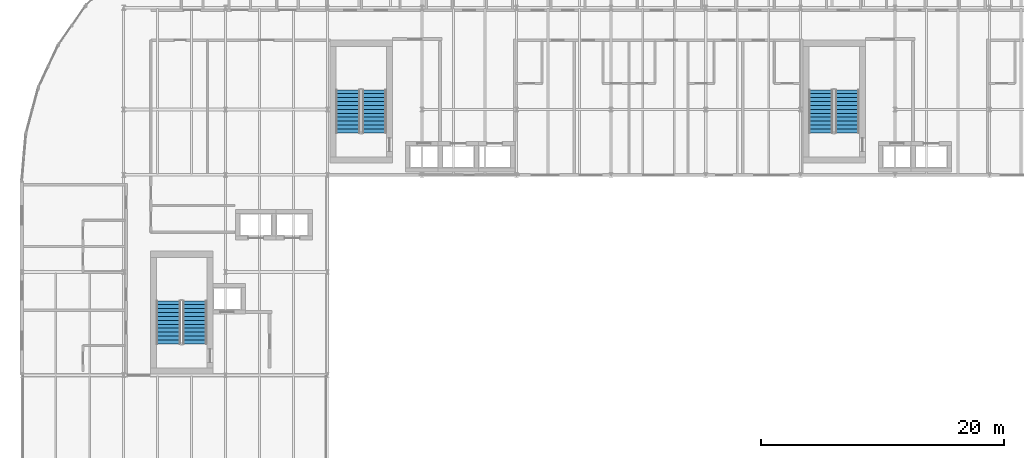
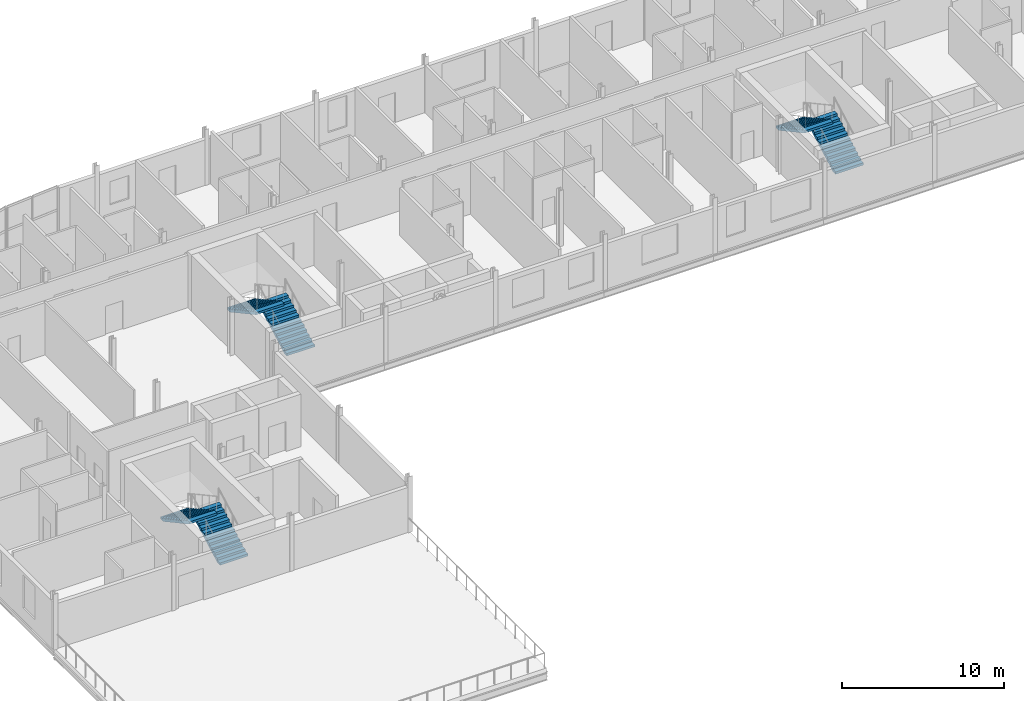
# One storey, part 18 of 22: 6 stair flights, 3 elements without a shape of their own.
"""IFC4 building model written with IfcOpenShell, lengths in metres."""

import ifcopenshell
import ifcopenshell.guid

model = None  # the IFC model being written
_history = None  # IfcOwnerHistory: only IFC2X3 demands one
_inside = {}  # id of a spatial element -> (the spatial element, [elements in it])
_under = {}  # id of a project, library or spatial element -> (it, [spatial elements below it])
_declared = {}  # id of a project -> (the project, [libraries it declares])
_typed = {}  # id of a type object -> (the type object, [elements of that type])
_made_of = {}  # id of a material, layer set ... -> (it, [elements and type objects made of it])


def new_model(schema):
    """Start an empty IFC model of exactly this schema.

    Asked for "IFC4X3", IfcOpenShell would pick the latest addendum, in which some entities
    have other attributes; the version numbers below select the first issue.
    IFC2X3 requires an IfcOwnerHistory on every rooted entity: one is made here for all.
    """
    global model, _history
    if schema == "IFC4X3":
        model = ifcopenshell.file(schema_version=(4, 3, 0, 0))
    else:
        model = ifcopenshell.file(schema=schema)
    _inside.clear()
    _under.clear()
    _declared.clear()
    _typed.clear()
    _made_of.clear()
    _history = None
    if model.schema == "IFC2X3":
        org = make("IfcOrganization", Name="unknown")
        user = make(
            "IfcPersonAndOrganization",
            ThePerson=make("IfcPerson", FamilyName="unknown"),
            TheOrganization=org,
        )
        app = make(
            "IfcApplication",
            ApplicationDeveloper=org,
            Version="unknown",
            ApplicationFullName="unknown",
            ApplicationIdentifier="unknown",
        )
        _history = make(
            "IfcOwnerHistory",
            OwningUser=user,
            OwningApplication=app,
            ChangeAction="ADDED",
            CreationDate=0,
        )
    return model


def make(cls, **values):
    """One entity of the class cls with the attributes given. An attribute that is None is left unset."""
    return model.create_entity(
        cls, **{name: value for name, value in values.items() if value is not None}
    )


def rooted(cls, **values):
    """An entity with a GlobalId (a new one), such as an element, a storey or a relation."""
    return make(cls, GlobalId=ifcopenshell.guid.new(), OwnerHistory=_history, **values)


def si_unit(unit_type, name, prefix=None):
    """IfcSIUnit, for example si_unit("LENGTHUNIT", "METRE", prefix="MILLI")."""
    return make("IfcSIUnit", UnitType=unit_type, Prefix=prefix, Name=name)


def assignment(units):
    """IfcUnitAssignment: the units of a project."""
    return None if units is None else make("IfcUnitAssignment", Units=units)


def point(xyz):
    """IfcCartesianPoint."""
    return None if xyz is None else make("IfcCartesianPoint", Coordinates=xyz)


def direction(xyz):
    """IfcDirection."""
    return None if xyz is None else make("IfcDirection", DirectionRatios=xyz)


def frame(location, z_axis=None, x_axis=None):
    """IfcAxis2Placement3D, a coordinate frame: its origin and axes. An axis left out is left unset."""
    return make(
        "IfcAxis2Placement3D",
        Location=point(location),
        Axis=direction(z_axis),
        RefDirection=direction(x_axis),
    )


def origin():
    """The frame at (0, 0, 0) with its axes left unset."""
    return frame((0.0, 0.0, 0.0))


def place(relative_to, where):
    """IfcLocalPlacement: puts the frame where relative to a parent placement (None: the world)."""
    return make(
        "IfcLocalPlacement", PlacementRelTo=relative_to, RelativePlacement=where
    )


def context(
    kind, dimensions, precision=None, world=None, true_north=None, identifier=None
):
    """IfcGeometricRepresentationContext, for example the 3D "Model" context."""
    return make(
        "IfcGeometricRepresentationContext",
        ContextIdentifier=identifier,
        ContextType=kind,
        CoordinateSpaceDimension=dimensions,
        Precision=precision,
        WorldCoordinateSystem=world,
        TrueNorth=true_north,
    )


def subcontext(parent, identifier, kind, view, scale=None):
    """IfcGeometricRepresentationSubContext, for example "Body" below "Model"."""
    return make(
        "IfcGeometricRepresentationSubContext",
        ContextIdentifier=identifier,
        ContextType=kind,
        ParentContext=parent,
        TargetScale=scale,
        TargetView=view,
    )


def project(units=None, contexts=None):
    """IfcProject with its units and contexts."""
    return rooted(
        "IfcProject",
        Name="project",
        RepresentationContexts=contexts,
        UnitsInContext=assignment(units),
    )


def spatial(cls, under=None, at=None, **own):
    """A site, building, storey or space (cls), placed at a placement, below another one or the project."""
    s = rooted(cls, ObjectPlacement=at, **own)
    if under is not None:
        _under.setdefault(under.id(), (under, []))[1].append(s)
    return s


def polyline(points):
    """IfcPolyline through the points."""
    return make("IfcPolyline", Points=[point(p) for p in points])


def outline(outer, holes=None, kind="AREA"):
    """IfcArbitraryClosedProfileDef: a profile drawn as a closed curve; with holes, ...WithVoids."""
    if holes is None:
        return make("IfcArbitraryClosedProfileDef", ProfileType=kind, OuterCurve=outer)
    return make(
        "IfcArbitraryProfileDefWithVoids",
        ProfileType=kind,
        OuterCurve=outer,
        InnerCurves=holes,
    )


def extrude(swept, where, along, depth):
    """IfcExtrudedAreaSolid: the profile swept, set in the frame where, extruded along a direction by depth."""
    return make(
        "IfcExtrudedAreaSolid",
        SweptArea=swept,
        Position=where,
        ExtrudedDirection=direction(along),
        Depth=depth,
    )


def shape(context_of_items, identifier, shape_type, items):
    """IfcShapeRepresentation: the items that make up one representation, for example the "Body"."""
    return make(
        "IfcShapeRepresentation",
        ContextOfItems=context_of_items,
        RepresentationIdentifier=identifier,
        RepresentationType=shape_type,
        Items=items,
    )


def material(Name=None, Category=None):
    """IfcMaterial."""
    return make("IfcMaterial", Name=Name, Category=Category)


def made_of(thing, what):
    """Note that an element or type object is made of a material, layer set ...; save() writes the relation."""
    if what is not None:
        _made_of.setdefault(what.id(), (what, []))[1].append(thing)
    return thing


def type_object(cls, material=None, **own):
    """A type object (cls), such as IfcWallType, which elements share."""
    return made_of(rooted(cls, **own), material)


def element(
    cls,
    number,
    at=None,
    inside=None,
    cuts=None,
    type_object=None,
    material=None,
    context=None,
    identifier="Body",
    shape_type=None,
    held_by="IfcProductDefinitionShape",
    body=None,
    shapes=None,
    **own,
):
    """One element of the class cls, such as IfcWall. Its Tag is "e" and its number.

    at: its placement. inside: the storey or other place that contains it. cuts: it is an
    opening in that element (IfcRelVoidsElement). A single representation is given by context,
    identifier, shape_type and body (its items); several are given by shapes. held_by: the class
    of the entity that holds the representations. save() writes the other relations.
    """
    e = rooted(cls, Tag="e%d" % number, ObjectPlacement=at, **own)
    if body is not None:
        shapes = [shape(context, identifier, shape_type, body)]
    if shapes is not None:
        e.Representation = make(held_by, Representations=shapes)
    if inside is not None:
        _inside.setdefault(inside.id(), (inside, []))[1].append(e)
    if cuts is not None:
        rooted(
            "IfcRelVoidsElement", RelatingBuildingElement=cuts, RelatedOpeningElement=e
        )
    if type_object is not None:
        _typed.setdefault(type_object.id(), (type_object, []))[1].append(e)
    return made_of(e, material)


def aggregate(whole, parts):
    """IfcRelAggregates: a whole, such as a stair, and the parts it consists of."""
    return rooted("IfcRelAggregates", RelatingObject=whole, RelatedObjects=parts)


def save(model, path):
    """Write the relations noted so far, then the file.

    IfcRelAggregates (storeys below a building ...), IfcRelContainedInSpatialStructure (elements
    in a storey), IfcRelDefinesByType, IfcRelAssociatesMaterial and IfcRelDeclares: one each for
    every whole, place, type object, material and project.
    """
    for whole, parts in _under.values():
        aggregate(whole, parts)
    for where, things in _inside.values():
        rooted(
            "IfcRelContainedInSpatialStructure",
            RelatedElements=things,
            RelatingStructure=where,
        )
    for kind, things in _typed.values():
        rooted("IfcRelDefinesByType", RelatedObjects=things, RelatingType=kind)
    for what, things in _made_of.values():
        rooted("IfcRelAssociatesMaterial", RelatedObjects=things, RelatingMaterial=what)
    for by, libraries in _declared.values():
        rooted("IfcRelDeclares", RelatingContext=by, RelatedDefinitions=libraries)
    model.write(path)


model = new_model("IFC4")

# Units and contexts
model_context = context("Model", 3, precision=1e-05, world=origin(), true_north=direction((0.0, 1.0)))
body_context = subcontext(model_context, "Body", "Model", "MODEL_VIEW")
ifc_project = project(units=[si_unit("LENGTHUNIT", "METRE"), si_unit("AREAUNIT", "SQUARE_METRE"), si_unit("VOLUMEUNIT", "CUBIC_METRE"), si_unit("PLANEANGLEUNIT", "RADIAN"), si_unit("MASSUNIT", "GRAM", prefix="KILO")], contexts=[model_context])

# Site, building, storey
site_placement = place(None, origin())
site = spatial("IfcSite", under=ifc_project, at=site_placement, CompositionType="ELEMENT")
building_placement = place(site_placement, origin())
building = spatial("IfcBuilding", under=site, at=building_placement, Name="Sefraquen Railside Congress Hotel", CompositionType="ELEMENT")
storey_placement = place(building_placement, frame((0.0, 0.0, 42.60009765625)))
storey = spatial("IfcBuildingStorey", under=building, at=storey_placement, Name="L10", CompositionType="ELEMENT", Elevation=42.60009765625)

# Stair, stair flights
ifc_material = material(Name="Concrete C40/50", Category="concrete")
stair_type_1 = type_object("IfcStairType", Name="TST-DOG-198-360", PredefinedType="HALF_TURN_STAIR", material=ifc_material)
stair_1_placement = place(storey_placement, origin())
stair_1 = element("IfcStair", 1, at=stair_1_placement, inside=storey, type_object=stair_type_1, Name="L10 Pressurized escape stair ST-H01", PredefinedType="HALF_TURN_STAIR")
stair_flight_type_1 = type_object("IfcStairFlightType", Name="TSF-FLT-198-360", PredefinedType="STRAIGHT", material=ifc_material)
stair_flight_1_placement = place(storey_placement, frame((14.27001953125, 82.080078125, 0.0), z_axis=(0.0, 0.0, 1.0), x_axis=(0.0, 1.0, 0.0)))
stair_flight_1 = element("IfcStairFlight", 2, at=stair_flight_1_placement, type_object=stair_flight_type_1, Name="ST-H01 flight 1", NumberOfRisers=12, NumberOfTreads=11, PredefinedType="STRAIGHT", RiserHeight=0.175, TreadLength=0.322, context=body_context, shape_type="SweptSolid", body=[
    extrude(outline(polyline([(0.0, 0.0), (0.0, 0.175048828125), (0.322021484375, 0.175048828125), (0.322021484375, 0.35009765625), (0.64404296875, 0.35009765625), (0.64404296875, 0.52490234375), (0.966064453125, 0.52490234375), (0.966064453125, 0.699951171875), (1.2880859375, 0.699951171875), (1.2880859375, 0.875), (1.610107421875, 0.875), (1.610107421875, 1.050048828125), (1.931884765625, 1.050048828125), (1.931884765625, 1.22509765625), (2.25390625, 1.22509765625), (2.25390625, 1.39990234375), (2.575927734375, 1.39990234375), (2.575927734375, 1.574951171875), (2.89794921875, 1.574951171875), (2.89794921875, 1.75), (3.219970703125, 1.75), (3.219970703125, 1.925048828125), (3.5419921875, 1.925048828125), (3.5419921875, 2.10009765625), (3.5419921875, 1.75439453125), (0.31396484375, 0.0), (0.0, 0.0)])), frame((0.0, 0.989990234375, 0.0), z_axis=(0.0, -1.0, 0.0), x_axis=(1.0, 0.0, 0.0)), (0.0, 0.0, 1.0), 1.97998046875),
])
stair_flight_2_placement = place(storey_placement, frame((12.090087890625, 85.6220703125, 2.099853515625), z_axis=(0.0, 0.0, 1.0), x_axis=(0.0, -1.0, 0.0)))
stair_flight_2 = element("IfcStairFlight", 3, at=stair_flight_2_placement, type_object=stair_flight_type_1, Name="ST-H01 flight 2", NumberOfRisers=12, NumberOfTreads=11, PredefinedType="STRAIGHT", RiserHeight=0.175, TreadLength=0.322, context=body_context, shape_type="SweptSolid", body=[
    extrude(outline(polyline([(0.0, 0.0), (0.0, 0.175048828125), (0.322021484375, 0.175048828125), (0.322021484375, 0.35009765625), (0.64404296875, 0.35009765625), (0.64404296875, 0.52490234375), (0.966064453125, 0.52490234375), (0.966064453125, 0.699951171875), (1.2880859375, 0.699951171875), (1.2880859375, 0.875), (1.610107421875, 0.875), (1.610107421875, 1.050048828125), (1.931884765625, 1.050048828125), (1.931884765625, 1.22509765625), (2.25390625, 1.22509765625), (2.25390625, 1.39990234375), (2.575927734375, 1.39990234375), (2.575927734375, 1.574951171875), (2.89794921875, 1.574951171875), (2.89794921875, 1.75), (3.219970703125, 1.75), (3.219970703125, 1.925048828125), (3.5419921875, 1.925048828125), (3.5419921875, 2.10009765625), (3.5419921875, 1.75439453125), (0.31396484375, 0.0), (0.0, 0.0)])), frame((0.0, 0.989990234375, 0.0), z_axis=(0.0, -1.0, 0.0), x_axis=(1.0, 0.0, 0.0)), (0.0, 0.0, 1.0), 1.97998046875),
])
aggregate(stair_1, [stair_flight_1, stair_flight_2])

stair_type_2 = type_object("IfcStairType", Name="TST-DOG-198-420", PredefinedType="HALF_TURN_STAIR", material=ifc_material)
stair_2_placement = place(storey_placement, origin())
stair_2 = element("IfcStair", 4, at=stair_2_placement, inside=storey, type_object=stair_type_2, Name="L10 Pressurized escape stair ST-H02", PredefinedType="HALF_TURN_STAIR")
stair_flight_type_2 = type_object("IfcStairFlightType", Name="TSF-FLT-198-420", PredefinedType="STRAIGHT", material=ifc_material)
stair_flight_3_placement = place(storey_placement, frame((29.070068359375, 99.47998046875, 0.0), z_axis=(0.0, 0.0, 1.0), x_axis=(0.0, 1.0, 0.0)))
stair_flight_3 = element("IfcStairFlight", 5, at=stair_flight_3_placement, type_object=stair_flight_type_2, Name="ST-H02 flight 1", NumberOfRisers=12, NumberOfTreads=11, PredefinedType="STRAIGHT", RiserHeight=0.175, TreadLength=0.322, context=body_context, shape_type="SweptSolid", body=[
    extrude(outline(polyline([(0.0, 0.0), (0.0, 0.175048828125), (0.322021484375, 0.175048828125), (0.322021484375, 0.35009765625), (0.64404296875, 0.35009765625), (0.64404296875, 0.52490234375), (0.966064453125, 0.52490234375), (0.966064453125, 0.699951171875), (1.2880859375, 0.699951171875), (1.2880859375, 0.875), (1.610107421875, 0.875), (1.610107421875, 1.050048828125), (1.931884765625, 1.050048828125), (1.931884765625, 1.22509765625), (2.25390625, 1.22509765625), (2.25390625, 1.39990234375), (2.575927734375, 1.39990234375), (2.575927734375, 1.574951171875), (2.89794921875, 1.574951171875), (2.89794921875, 1.75), (3.219970703125, 1.75), (3.219970703125, 1.925048828125), (3.5419921875, 1.925048828125), (3.5419921875, 2.10009765625), (3.5419921875, 1.75439453125), (0.31396484375, 0.0), (0.0, 0.0)])), frame((0.0, 0.989990234375, 0.0), z_axis=(0.0, -1.0, 0.0), x_axis=(1.0, 0.0, 0.0)), (0.0, 0.0, 1.0), 1.97998046875),
])
stair_flight_4_placement = place(storey_placement, frame((26.889892578125, 103.02197265625, 2.099853515625), z_axis=(0.0, 0.0, 1.0), x_axis=(0.0, -1.0, 0.0)))
stair_flight_4 = element("IfcStairFlight", 6, at=stair_flight_4_placement, type_object=stair_flight_type_2, Name="ST-H02 flight 2", NumberOfRisers=12, NumberOfTreads=11, PredefinedType="STRAIGHT", RiserHeight=0.175, TreadLength=0.322, context=body_context, shape_type="SweptSolid", body=[
    extrude(outline(polyline([(0.0, 0.0), (0.0, 0.175048828125), (0.322021484375, 0.175048828125), (0.322021484375, 0.35009765625), (0.64404296875, 0.35009765625), (0.64404296875, 0.52490234375), (0.966064453125, 0.52490234375), (0.966064453125, 0.699951171875), (1.2880859375, 0.699951171875), (1.2880859375, 0.875), (1.610107421875, 0.875), (1.610107421875, 1.050048828125), (1.931884765625, 1.050048828125), (1.931884765625, 1.22509765625), (2.25390625, 1.22509765625), (2.25390625, 1.39990234375), (2.575927734375, 1.39990234375), (2.575927734375, 1.574951171875), (2.89794921875, 1.574951171875), (2.89794921875, 1.75), (3.219970703125, 1.75), (3.219970703125, 1.925048828125), (3.5419921875, 1.925048828125), (3.5419921875, 2.10009765625), (3.5419921875, 1.75439453125), (0.31396484375, 0.0), (0.0, 0.0)])), frame((0.0, 0.989990234375, 0.0), z_axis=(0.0, -1.0, 0.0), x_axis=(1.0, 0.0, 0.0)), (0.0, 0.0, 1.0), 1.97998046875),
])
aggregate(stair_2, [stair_flight_3, stair_flight_4])

stair_type_3 = type_object("IfcStairType", Name="TST-DOG-198-450", PredefinedType="HALF_TURN_STAIR", material=ifc_material)
stair_3_placement = place(storey_placement, origin())
stair_3 = element("IfcStair", 7, at=stair_3_placement, inside=storey, type_object=stair_type_3, Name="L10 Pressurized escape stair ST-H03", PredefinedType="HALF_TURN_STAIR")
stair_flight_type_3 = type_object("IfcStairFlightType", Name="TSF-FLT-198-450", PredefinedType="STRAIGHT", material=ifc_material)
stair_flight_5_placement = place(storey_placement, frame((68.070068359375, 99.47998046875, 0.0), z_axis=(0.0, 0.0, 1.0), x_axis=(0.0, 1.0, 0.0)))
stair_flight_5 = element("IfcStairFlight", 8, at=stair_flight_5_placement, type_object=stair_flight_type_3, Name="ST-H03 flight 1", NumberOfRisers=12, NumberOfTreads=11, PredefinedType="STRAIGHT", RiserHeight=0.175, TreadLength=0.322, context=body_context, shape_type="SweptSolid", body=[
    extrude(outline(polyline([(0.0, 0.0), (0.0, 0.175048828125), (0.322021484375, 0.175048828125), (0.322021484375, 0.35009765625), (0.64404296875, 0.35009765625), (0.64404296875, 0.52490234375), (0.966064453125, 0.52490234375), (0.966064453125, 0.699951171875), (1.2880859375, 0.699951171875), (1.2880859375, 0.875), (1.610107421875, 0.875), (1.610107421875, 1.050048828125), (1.931884765625, 1.050048828125), (1.931884765625, 1.22509765625), (2.25390625, 1.22509765625), (2.25390625, 1.39990234375), (2.575927734375, 1.39990234375), (2.575927734375, 1.574951171875), (2.89794921875, 1.574951171875), (2.89794921875, 1.75), (3.219970703125, 1.75), (3.219970703125, 1.925048828125), (3.5419921875, 1.925048828125), (3.5419921875, 2.10009765625), (3.5419921875, 1.75439453125), (0.31396484375, 0.0), (0.0, 0.0)])), frame((0.0, 0.989990234375, 0.0), z_axis=(0.0, -1.0, 0.0), x_axis=(1.0, 0.0, 0.0)), (0.0, 0.0, 1.0), 1.97998046875),
])
stair_flight_6_placement = place(storey_placement, frame((65.889892578125, 103.02197265625, 2.099853515625), z_axis=(0.0, 0.0, 1.0), x_axis=(0.0, -1.0, 0.0)))
stair_flight_6 = element("IfcStairFlight", 9, at=stair_flight_6_placement, type_object=stair_flight_type_3, Name="ST-H03 flight 2", NumberOfRisers=12, NumberOfTreads=11, PredefinedType="STRAIGHT", RiserHeight=0.175, TreadLength=0.322, context=body_context, shape_type="SweptSolid", body=[
    extrude(outline(polyline([(0.0, 0.0), (0.0, 0.175048828125), (0.322021484375, 0.175048828125), (0.322021484375, 0.35009765625), (0.64404296875, 0.35009765625), (0.64404296875, 0.52490234375), (0.966064453125, 0.52490234375), (0.966064453125, 0.699951171875), (1.2880859375, 0.699951171875), (1.2880859375, 0.875), (1.610107421875, 0.875), (1.610107421875, 1.050048828125), (1.931884765625, 1.050048828125), (1.931884765625, 1.22509765625), (2.25390625, 1.22509765625), (2.25390625, 1.39990234375), (2.575927734375, 1.39990234375), (2.575927734375, 1.574951171875), (2.89794921875, 1.574951171875), (2.89794921875, 1.75), (3.219970703125, 1.75), (3.219970703125, 1.925048828125), (3.5419921875, 1.925048828125), (3.5419921875, 2.10009765625), (3.5419921875, 1.75439453125), (0.31396484375, 0.0), (0.0, 0.0)])), frame((0.0, 0.989990234375, 0.0), z_axis=(0.0, -1.0, 0.0), x_axis=(1.0, 0.0, 0.0)), (0.0, 0.0, 1.0), 1.97998046875),
])
aggregate(stair_3, [stair_flight_5, stair_flight_6])

save(model, "model.ifc")
